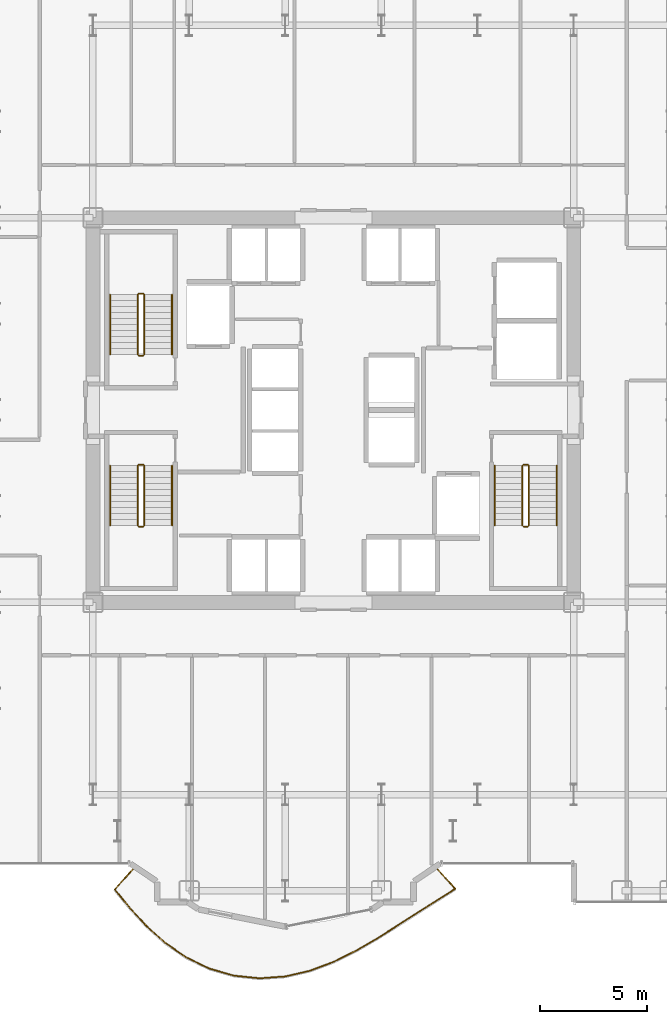
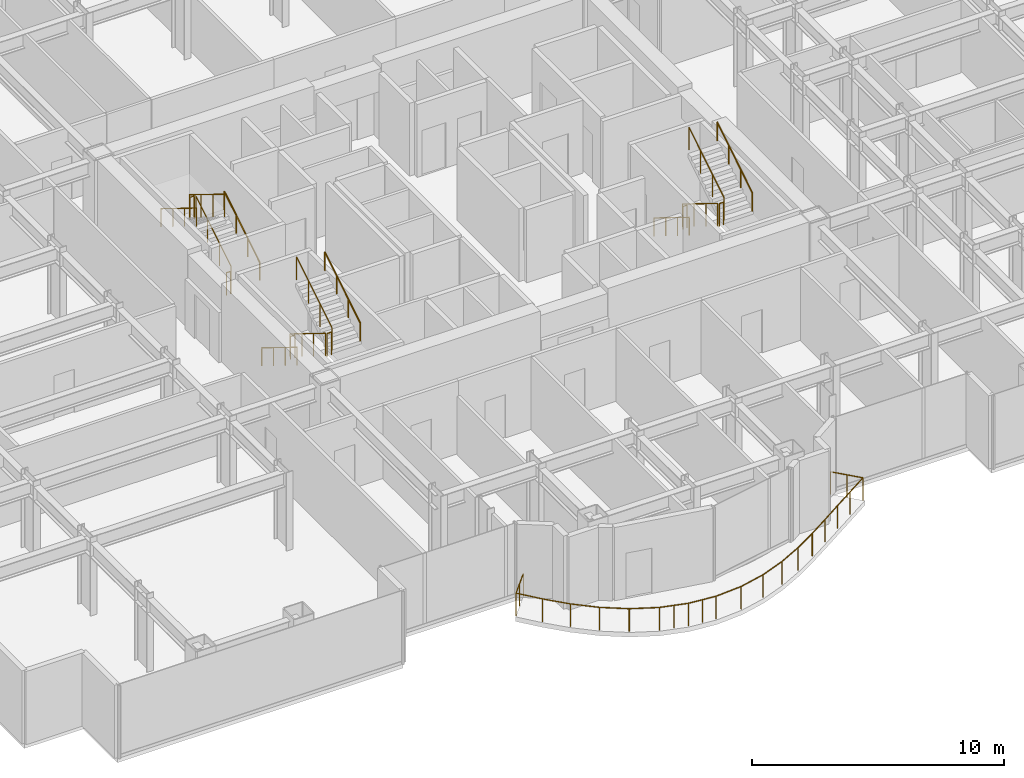
# One storey, part 28 of 29: 19 railings.
"""IFC4 building model written with IfcOpenShell, lengths in metres."""

from ifc_helpers import new_model, si_unit, direction, frame, origin, origin_2d, place, context, subcontext, project, spatial, circle, extrude, material, type_object, element, save


model = new_model("IFC4")

# Units and contexts
model_context = context("Model", 3, precision=1e-05, world=origin(), true_north=direction((0.0, 1.0)))
body_context = subcontext(model_context, "Body", "Model", "MODEL_VIEW")
ifc_project = project(units=[si_unit("LENGTHUNIT", "METRE"), si_unit("AREAUNIT", "SQUARE_METRE"), si_unit("VOLUMEUNIT", "CUBIC_METRE"), si_unit("PLANEANGLEUNIT", "RADIAN"), si_unit("MASSUNIT", "GRAM", prefix="KILO")], contexts=[model_context])

# Site, building, storey
site_placement = place(None, origin())
site = spatial("IfcSite", under=ifc_project, at=site_placement, CompositionType="ELEMENT")
building_placement = place(site_placement, origin())
building = spatial("IfcBuilding", under=site, at=building_placement, Name="Nefas-Gora Pilgrimage Tower", CompositionType="ELEMENT")
storey_placement = place(building_placement, frame((0.0, 0.0, 78.60009765625)))
storey = spatial("IfcBuildingStorey", under=building, at=storey_placement, Name="L18", CompositionType="ELEMENT", Elevation=78.60009765625)

# Railings
ifc_material_1 = material(Name="Laminated safety glass and stainless steel", Category="steel")
railing_type_1 = type_object("IfcRailingType", Name="RLG-BAL-1100", PredefinedType="BALUSTRADE", material=ifc_material_1)
railing_1_placement = place(storey_placement, frame((-9.302490234375, -21.402587890625, 0.0)))
element("IfcRailing", 1, at=railing_1_placement, inside=storey, type_object=railing_type_1, Name="L18 Wave Balcony Balustrade S2", PredefinedType="BALUSTRADE", context=body_context, shape_type="SweptSolid", body=[
    extrude(circle(Radius=0.02392578125, at=origin_2d()), frame((0.0, 0.0, 1.09619140625), z_axis=(-0.669217868333, -0.743066245165, 0.0), x_axis=(0.743066245165, -0.669217868333, 0.0)), (0.0, 0.0, 1.0), 1.38525390625),
    extrude(circle(Radius=0.02392578125, at=origin_2d()), frame((-0.927001953125, -1.029296875, 1.09619140625), z_axis=(0.631629482569, -0.775270402343, 0.0), x_axis=(0.775270402343, 0.631629482569, 0.0)), (0.0, 0.0, 1.0), 1.125244140625),
    extrude(circle(Radius=0.02392578125, at=origin_2d()), frame((-0.21630859375, -1.901611328125, 1.09619140625), z_axis=(0.677893838632, -0.735159808167, 0.0), x_axis=(0.735159808167, 0.677893838632, 0.0)), (0.0, 0.0, 1.0), 1.1552734375),
    extrude(circle(Radius=0.02392578125, at=origin_2d()), frame((0.56689453125, -2.7509765625, 1.09619140625), z_axis=(0.744856770075, -0.667224394094, 0.0), x_axis=(0.667224394094, 0.744856770075, 0.0)), (0.0, 0.0, 1.0), 1.17919921875),
    extrude(circle(Radius=0.02392578125, at=origin_2d()), frame((1.4453125, -3.537841796875, 1.09619140625), z_axis=(0.823486360046, -0.567336068673, 0.0), x_axis=(0.567336068673, 0.823486360046, 0.0)), (0.0, 0.0, 1.0), 1.193359375),
    extrude(circle(Radius=0.02392578125, at=origin_2d()), frame((2.427978515625, -4.21484375, 1.09619140625), z_axis=(0.900372884274, -0.435119143757, 0.0), x_axis=(0.435119143757, 0.900372884274, 0.0)), (0.0, 0.0, 1.0), 1.198974609375),
    extrude(circle(Radius=0.02392578125, at=origin_2d()), frame((3.507568359375, -4.736572265625, 1.09619140625), z_axis=(0.96128569357, -0.275553652377, 0.0), x_axis=(0.275553652377, 0.96128569357, 0.0)), (0.0, 0.0, 1.0), 1.200439453125),
    extrude(circle(Radius=0.02392578125, at=origin_2d()), frame((4.66162109375, -5.0673828125, 1.09619140625), z_axis=(0.994878893823, -0.101074163988, 0.0), x_axis=(0.101074163988, 0.994878893823, 0.0)), (0.0, 0.0, 1.0), 1.200439453125),
    extrude(circle(Radius=0.02392578125, at=origin_2d()), frame((5.85595703125, -5.188720703125, 1.09619140625), z_axis=(0.997416168119, 0.071840013741, 0.0), x_axis=(-0.071840013741, 0.997416168119, 0.0)), (0.0, 0.0, 1.0), 1.19970703125),
    extrude(circle(Radius=0.02392578125, at=origin_2d()), frame((7.052490234375, -5.1025390625, 1.09619140625), z_axis=(0.973990202432, 0.226590126809, 0.0), x_axis=(-0.226590126809, 0.973990202432, 0.0)), (0.0, 0.0, 1.0), 1.19482421875),
    extrude(circle(Radius=0.02392578125, at=origin_2d()), frame((8.21630859375, -4.831787109375, 1.09619140625), z_axis=(0.935793373768, 0.352548949243, 0.0), x_axis=(-0.352548949243, 0.935793373768, 0.0)), (0.0, 0.0, 1.0), 1.18212890625),
    extrude(circle(Radius=0.02392578125, at=origin_2d()), frame((9.322509765625, -4.4150390625, 1.09619140625), z_axis=(0.895603061992, 0.444854083213, 0.0), x_axis=(-0.444854083213, 0.895603061992, 0.0)), (0.0, 0.0, 1.0), 1.15966796875),
    extrude(circle(Radius=0.02392578125, at=origin_2d()), frame((10.361083984375, -3.899169921875, 1.09619140625), z_axis=(0.863943403334, 0.503588915522, 0.0), x_axis=(-0.503588915522, 0.863943403334, 0.0)), (0.0, 0.0, 1.0), 1.130126953125),
    extrude(circle(Radius=0.02392578125, at=origin_2d()), frame((11.33740234375, -3.330078125, 1.09619140625), z_axis=(0.846310667587, 0.532689641282, 0.0), x_axis=(-0.532689641282, 0.846310667587, 0.0)), (0.0, 0.0, 1.0), 1.099853515625),
    extrude(circle(Radius=0.02392578125, at=origin_2d()), frame((12.268310546875, -2.744140625, 1.09619140625), z_axis=(0.841971362418, 0.539522219067, 0.0), x_axis=(-0.539522219067, 0.841971362418, 0.0)), (0.0, 0.0, 1.0), 1.079345703125),
    extrude(circle(Radius=0.02392578125, at=origin_2d()), frame((13.177001953125, -2.161865234375, 1.09619140625), z_axis=(0.844473528243, 0.535597292839, 0.0), x_axis=(-0.535597292839, 0.844473528243, 0.0)), (0.0, 0.0, 1.0), 1.07568359375),
    extrude(circle(Radius=0.02392578125, at=origin_2d()), frame((14.08544921875, -1.585693359375, 1.09619140625), z_axis=(0.843707572313, 0.536803066704, 0.0), x_axis=(-0.536803066704, 0.843707572313, 0.0)), (0.0, 0.0, 1.0), 1.090576171875),
    extrude(circle(Radius=0.02392578125, at=origin_2d()), frame((15.005615234375, -1.000244140625, 1.09619140625), z_axis=(-0.669135077133, 0.74314079995, 0.0), x_axis=(-0.74314079995, -0.669135077133, 0.0)), (0.0, 0.0, 1.0), 1.345947265625),
    extrude(circle(Radius=0.02099609375, at=origin_2d()), origin(), (0.0, 0.0, 1.0), 1.072021484375),
    extrude(circle(Radius=0.02099609375, at=origin_2d()), frame((-0.46337890625, -0.5146484375, 0.0)), (0.0, 0.0, 1.0), 1.072021484375),
    extrude(circle(Radius=0.02099609375, at=origin_2d()), frame((-0.927001953125, -1.029296875, 0.0)), (0.0, 0.0, 1.0), 1.072021484375),
    extrude(circle(Radius=0.02099609375, at=origin_2d()), frame((-0.21630859375, -1.901611328125, 0.0)), (0.0, 0.0, 1.0), 1.072021484375),
    extrude(circle(Radius=0.02099609375, at=origin_2d()), frame((0.56689453125, -2.7509765625, 0.0)), (0.0, 0.0, 1.0), 1.072021484375),
    extrude(circle(Radius=0.02099609375, at=origin_2d()), frame((1.4453125, -3.537841796875, 0.0)), (0.0, 0.0, 1.0), 1.072021484375),
    extrude(circle(Radius=0.02099609375, at=origin_2d()), frame((2.427978515625, -4.21484375, 0.0)), (0.0, 0.0, 1.0), 1.072021484375),
    extrude(circle(Radius=0.02099609375, at=origin_2d()), frame((3.507568359375, -4.736572265625, 0.0)), (0.0, 0.0, 1.0), 1.072021484375),
    extrude(circle(Radius=0.02099609375, at=origin_2d()), frame((4.08447265625, -4.90185546875, 0.0)), (0.0, 0.0, 1.0), 1.072021484375),
    extrude(circle(Radius=0.02099609375, at=origin_2d()), frame((4.66162109375, -5.0673828125, 0.0)), (0.0, 0.0, 1.0), 1.072021484375),
    extrude(circle(Radius=0.02099609375, at=origin_2d()), frame((5.2587890625, -5.1279296875, 0.0)), (0.0, 0.0, 1.0), 1.072021484375),
    extrude(circle(Radius=0.02099609375, at=origin_2d()), frame((5.85595703125, -5.188720703125, 0.0)), (0.0, 0.0, 1.0), 1.072021484375),
    extrude(circle(Radius=0.02099609375, at=origin_2d()), frame((7.052490234375, -5.1025390625, 0.0)), (0.0, 0.0, 1.0), 1.072021484375),
    extrude(circle(Radius=0.02099609375, at=origin_2d()), frame((8.21630859375, -4.831787109375, 0.0)), (0.0, 0.0, 1.0), 1.072021484375),
    extrude(circle(Radius=0.02099609375, at=origin_2d()), frame((9.322509765625, -4.4150390625, 0.0)), (0.0, 0.0, 1.0), 1.072021484375),
    extrude(circle(Radius=0.02099609375, at=origin_2d()), frame((10.361083984375, -3.899169921875, 0.0)), (0.0, 0.0, 1.0), 1.072021484375),
    extrude(circle(Radius=0.02099609375, at=origin_2d()), frame((11.33740234375, -3.330078125, 0.0)), (0.0, 0.0, 1.0), 1.072021484375),
    extrude(circle(Radius=0.02099609375, at=origin_2d()), frame((12.268310546875, -2.744140625, 0.0)), (0.0, 0.0, 1.0), 1.072021484375),
    extrude(circle(Radius=0.02099609375, at=origin_2d()), frame((13.177001953125, -2.161865234375, 0.0)), (0.0, 0.0, 1.0), 1.072021484375),
    extrude(circle(Radius=0.02099609375, at=origin_2d()), frame((14.08544921875, -1.585693359375, 0.0)), (0.0, 0.0, 1.0), 1.072021484375),
    extrude(circle(Radius=0.02099609375, at=origin_2d()), frame((15.005615234375, -1.000244140625, 0.0)), (0.0, 0.0, 1.0), 1.072021484375),
    extrude(circle(Radius=0.02099609375, at=origin_2d()), frame((14.55517578125, -0.5, 0.0)), (0.0, 0.0, 1.0), 1.072021484375),
    extrude(circle(Radius=0.02099609375, at=origin_2d()), frame((14.10498046875, 0.0, 0.0)), (0.0, 0.0, 1.0), 1.072021484375),
])
ifc_material_2 = material(Name="Painted galvanised steel", Category="steel")
railing_type_2 = type_object("IfcRailingType", Name="RLG-STR-GUARD-1100", PredefinedType="GUARDRAIL", material=ifc_material_2)
railing_2_placement = place(storey_placement, frame((-8.85009765625, 2.60009765625, 0.172607421875)))
element("IfcRailing", 2, at=railing_2_placement, inside=storey, type_object=railing_type_2, Name="L18 ST-01 stair guard 1", PredefinedType="GUARDRAIL", context=body_context, shape_type="SweptSolid", body=[
    extrude(circle(Radius=0.02392578125, at=origin_2d()), frame((0.0, 0.0, 1.09619140625), z_axis=(0.0, 0.851069175582, 0.525053576669), x_axis=(-1.0, 0.0, 0.0)), (0.0, 0.0, 1.0), 3.289794921875),
    extrude(circle(Radius=0.02099609375, at=origin_2d()), origin(), (0.0, 0.0, 1.0), 1.072021484375),
    extrude(circle(Radius=0.02099609375, at=origin_2d()), frame((0.0, 0.933349609375, 0.57568359375)), (0.0, 0.0, 1.0), 1.072021484375),
    extrude(circle(Radius=0.02099609375, at=origin_2d()), frame((0.0, 1.866455078125, 1.151611328125)), (0.0, 0.0, 1.0), 1.072021484375),
    extrude(circle(Radius=0.02099609375, at=origin_2d()), frame((0.0, 2.7998046875, 1.727294921875)), (0.0, 0.0, 1.0), 1.072021484375),
])
railing_3_placement = place(storey_placement, frame((-8.89990234375, 5.449951171875, 1.89990234375)))
element("IfcRailing", 3, at=railing_3_placement, inside=storey, type_object=railing_type_2, Name="L18 ST-01 stair guard 2", PredefinedType="GUARDRAIL", context=body_context, shape_type="SweptSolid", body=[
    extrude(circle(Radius=0.02392578125, at=origin_2d()), frame((0.0, 0.0, 1.09619140625), z_axis=(-1.0, 0.0, 0.0), x_axis=(0.0, -1.0, 0.0)), (0.0, 0.0, 1.0), 0.2001953125),
    extrude(circle(Radius=0.02099609375, at=origin_2d()), origin(), (0.0, 0.0, 1.0), 1.072021484375),
    extrude(circle(Radius=0.02099609375, at=origin_2d()), frame((-0.2001953125, 0.0, 0.0)), (0.0, 0.0, 1.0), 1.072021484375),
])
railing_4_placement = place(storey_placement, frame((-9.14990234375, 5.39990234375, 2.072509765625)))
element("IfcRailing", 4, at=railing_4_placement, inside=storey, type_object=railing_type_2, Name="L18 ST-01 stair guard 3", PredefinedType="GUARDRAIL", context=body_context, shape_type="SweptSolid", body=[
    extrude(circle(Radius=0.02392578125, at=origin_2d()), frame((0.0, 0.0, 1.09619140625), z_axis=(0.0, -0.851069175582, 0.525053576669), x_axis=(1.0, 0.0, 0.0)), (0.0, 0.0, 1.0), 3.289794921875),
    extrude(circle(Radius=0.02099609375, at=origin_2d()), origin(), (0.0, 0.0, 1.0), 1.072021484375),
    extrude(circle(Radius=0.02099609375, at=origin_2d()), frame((0.0, -0.933349609375, 0.57568359375)), (0.0, 0.0, 1.0), 1.072021484375),
    extrude(circle(Radius=0.02099609375, at=origin_2d()), frame((0.0, -1.866455078125, 1.151611328125)), (0.0, 0.0, 1.0), 1.072021484375),
    extrude(circle(Radius=0.02099609375, at=origin_2d()), frame((0.0, -2.7998046875, 1.727294921875)), (0.0, 0.0, 1.0), 1.072021484375),
])
railing_5_placement = place(storey_placement, frame((-8.89990234375, 2.550048828125, 0.0)))
element("IfcRailing", 5, at=railing_5_placement, inside=storey, type_object=railing_type_2, Name="L18 ST-01 stair guard 4", PredefinedType="GUARDRAIL", context=body_context, shape_type="SweptSolid", body=[
    extrude(circle(Radius=0.02392578125, at=origin_2d()), frame((0.0, 0.0, 1.09619140625), z_axis=(-1.0, 0.0, 0.0), x_axis=(0.0, -1.0, 0.0)), (0.0, 0.0, 1.0), 0.2001953125),
    extrude(circle(Radius=0.02099609375, at=origin_2d()), origin(), (0.0, 0.0, 1.0), 1.072021484375),
    extrude(circle(Radius=0.02099609375, at=origin_2d()), frame((-0.2001953125, 0.0, 0.0)), (0.0, 0.0, 1.0), 1.072021484375),
])
railing_6_placement = place(storey_placement, frame((8.85009765625, -2.60009765625, 0.172607421875)))
element("IfcRailing", 6, at=railing_6_placement, inside=storey, type_object=railing_type_2, Name="L18 ST-02 stair guard 1", PredefinedType="GUARDRAIL", context=body_context, shape_type="SweptSolid", body=[
    extrude(circle(Radius=0.02392578125, at=origin_2d()), frame((0.0, 0.0, 1.09619140625), z_axis=(0.0, -0.851069175582, 0.525053576669), x_axis=(1.0, 0.0, 0.0)), (0.0, 0.0, 1.0), 3.289794921875),
    extrude(circle(Radius=0.02099609375, at=origin_2d()), origin(), (0.0, 0.0, 1.0), 1.072021484375),
    extrude(circle(Radius=0.02099609375, at=origin_2d()), frame((0.0, -0.933349609375, 0.57568359375)), (0.0, 0.0, 1.0), 1.072021484375),
    extrude(circle(Radius=0.02099609375, at=origin_2d()), frame((0.0, -1.866455078125, 1.151611328125)), (0.0, 0.0, 1.0), 1.072021484375),
    extrude(circle(Radius=0.02099609375, at=origin_2d()), frame((0.0, -2.7998046875, 1.727294921875)), (0.0, 0.0, 1.0), 1.072021484375),
])
railing_7_placement = place(storey_placement, frame((8.89990234375, -5.449951171875, 1.89990234375)))
element("IfcRailing", 7, at=railing_7_placement, inside=storey, type_object=railing_type_2, Name="L18 ST-02 stair guard 2", PredefinedType="GUARDRAIL", context=body_context, shape_type="SweptSolid", body=[
    extrude(circle(Radius=0.02392578125, at=origin_2d()), frame((0.0, 0.0, 1.09619140625), z_axis=(1.0, 0.0, 0.0), x_axis=(0.0, 1.0, 0.0)), (0.0, 0.0, 1.0), 0.2001953125),
    extrude(circle(Radius=0.02099609375, at=origin_2d()), origin(), (0.0, 0.0, 1.0), 1.072021484375),
    extrude(circle(Radius=0.02099609375, at=origin_2d()), frame((0.2001953125, 0.0, 0.0)), (0.0, 0.0, 1.0), 1.072021484375),
])
railing_8_placement = place(storey_placement, frame((9.14990234375, -5.39990234375, 2.072509765625)))
element("IfcRailing", 8, at=railing_8_placement, inside=storey, type_object=railing_type_2, Name="L18 ST-02 stair guard 3", PredefinedType="GUARDRAIL", context=body_context, shape_type="SweptSolid", body=[
    extrude(circle(Radius=0.02392578125, at=origin_2d()), frame((0.0, 0.0, 1.09619140625), z_axis=(0.0, 0.851069175582, 0.525053576669), x_axis=(-1.0, 0.0, 0.0)), (0.0, 0.0, 1.0), 3.289794921875),
    extrude(circle(Radius=0.02099609375, at=origin_2d()), origin(), (0.0, 0.0, 1.0), 1.072021484375),
    extrude(circle(Radius=0.02099609375, at=origin_2d()), frame((0.0, 0.933349609375, 0.57568359375)), (0.0, 0.0, 1.0), 1.072021484375),
    extrude(circle(Radius=0.02099609375, at=origin_2d()), frame((0.0, 1.866455078125, 1.151611328125)), (0.0, 0.0, 1.0), 1.072021484375),
    extrude(circle(Radius=0.02099609375, at=origin_2d()), frame((0.0, 2.7998046875, 1.727294921875)), (0.0, 0.0, 1.0), 1.072021484375),
])
railing_9_placement = place(storey_placement, frame((8.89990234375, -2.550048828125, 0.0)))
element("IfcRailing", 9, at=railing_9_placement, inside=storey, type_object=railing_type_2, Name="L18 ST-02 stair guard 4", PredefinedType="GUARDRAIL", context=body_context, shape_type="SweptSolid", body=[
    extrude(circle(Radius=0.02392578125, at=origin_2d()), frame((0.0, 0.0, 1.09619140625), z_axis=(1.0, 0.0, 0.0), x_axis=(0.0, 1.0, 0.0)), (0.0, 0.0, 1.0), 0.2001953125),
    extrude(circle(Radius=0.02099609375, at=origin_2d()), origin(), (0.0, 0.0, 1.0), 1.072021484375),
    extrude(circle(Radius=0.02099609375, at=origin_2d()), frame((0.2001953125, 0.0, 0.0)), (0.0, 0.0, 1.0), 1.072021484375),
])
railing_10_placement = place(storey_placement, frame((-9.14990234375, -2.60009765625, 0.172607421875)))
element("IfcRailing", 10, at=railing_10_placement, inside=storey, type_object=railing_type_2, Name="L18 ST-03 stair guard 1", PredefinedType="GUARDRAIL", context=body_context, shape_type="SweptSolid", body=[
    extrude(circle(Radius=0.02392578125, at=origin_2d()), frame((0.0, 0.0, 1.09619140625), z_axis=(0.0, -0.851069175582, 0.525053576669), x_axis=(1.0, 0.0, 0.0)), (0.0, 0.0, 1.0), 3.289794921875),
    extrude(circle(Radius=0.02099609375, at=origin_2d()), origin(), (0.0, 0.0, 1.0), 1.072021484375),
    extrude(circle(Radius=0.02099609375, at=origin_2d()), frame((0.0, -0.933349609375, 0.57568359375)), (0.0, 0.0, 1.0), 1.072021484375),
    extrude(circle(Radius=0.02099609375, at=origin_2d()), frame((0.0, -1.866455078125, 1.151611328125)), (0.0, 0.0, 1.0), 1.072021484375),
    extrude(circle(Radius=0.02099609375, at=origin_2d()), frame((0.0, -2.7998046875, 1.727294921875)), (0.0, 0.0, 1.0), 1.072021484375),
])
railing_11_placement = place(storey_placement, frame((-9.10009765625, -5.449951171875, 1.89990234375)))
element("IfcRailing", 11, at=railing_11_placement, inside=storey, type_object=railing_type_2, Name="L18 ST-03 stair guard 2", PredefinedType="GUARDRAIL", context=body_context, shape_type="SweptSolid", body=[
    extrude(circle(Radius=0.02392578125, at=origin_2d()), frame((0.0, 0.0, 1.09619140625), z_axis=(1.0, 0.0, 0.0), x_axis=(0.0, 1.0, 0.0)), (0.0, 0.0, 1.0), 0.2001953125),
    extrude(circle(Radius=0.02099609375, at=origin_2d()), origin(), (0.0, 0.0, 1.0), 1.072021484375),
    extrude(circle(Radius=0.02099609375, at=origin_2d()), frame((0.2001953125, 0.0, 0.0)), (0.0, 0.0, 1.0), 1.072021484375),
])
railing_12_placement = place(storey_placement, frame((-8.85009765625, -5.39990234375, 2.072509765625)))
element("IfcRailing", 12, at=railing_12_placement, inside=storey, type_object=railing_type_2, Name="L18 ST-03 stair guard 3", PredefinedType="GUARDRAIL", context=body_context, shape_type="SweptSolid", body=[
    extrude(circle(Radius=0.02392578125, at=origin_2d()), frame((0.0, 0.0, 1.09619140625), z_axis=(0.0, 0.851069175582, 0.525053576669), x_axis=(-1.0, 0.0, 0.0)), (0.0, 0.0, 1.0), 3.289794921875),
    extrude(circle(Radius=0.02099609375, at=origin_2d()), origin(), (0.0, 0.0, 1.0), 1.072021484375),
    extrude(circle(Radius=0.02099609375, at=origin_2d()), frame((0.0, 0.933349609375, 0.57568359375)), (0.0, 0.0, 1.0), 1.072021484375),
    extrude(circle(Radius=0.02099609375, at=origin_2d()), frame((0.0, 1.866455078125, 1.151611328125)), (0.0, 0.0, 1.0), 1.072021484375),
    extrude(circle(Radius=0.02099609375, at=origin_2d()), frame((0.0, 2.7998046875, 1.727294921875)), (0.0, 0.0, 1.0), 1.072021484375),
])
railing_13_placement = place(storey_placement, frame((-9.10009765625, -2.550048828125, 0.0)))
element("IfcRailing", 13, at=railing_13_placement, inside=storey, type_object=railing_type_2, Name="L18 ST-03 stair guard 4", PredefinedType="GUARDRAIL", context=body_context, shape_type="SweptSolid", body=[
    extrude(circle(Radius=0.02392578125, at=origin_2d()), frame((0.0, 0.0, 1.09619140625), z_axis=(1.0, 0.0, 0.0), x_axis=(0.0, 1.0, 0.0)), (0.0, 0.0, 1.0), 0.2001953125),
    extrude(circle(Radius=0.02099609375, at=origin_2d()), origin(), (0.0, 0.0, 1.0), 1.072021484375),
    extrude(circle(Radius=0.02099609375, at=origin_2d()), frame((0.2001953125, 0.0, 0.0)), (0.0, 0.0, 1.0), 1.072021484375),
])
ifc_material_3 = material(Name="Brushed stainless steel", Category="steel")
railing_type_3 = type_object("IfcRailingType", Name="RLG-STR-HAND-900", PredefinedType="HANDRAIL", material=ifc_material_3)
railing_14_placement = place(storey_placement, frame((-7.550048828125, 2.60009765625, 0.172607421875)))
element("IfcRailing", 14, at=railing_14_placement, inside=storey, type_object=railing_type_3, Name="L18 ST-01 stair handrail 1", PredefinedType="HANDRAIL", context=body_context, shape_type="SweptSolid", body=[
    extrude(circle(Radius=0.02392578125, at=origin_2d()), frame((0.0, 0.0, 0.8759765625), z_axis=(0.0, 0.851069175582, 0.525053576669), x_axis=(-1.0, 0.0, 0.0)), (0.0, 0.0, 1.0), 3.289794921875),
    extrude(circle(Radius=0.02099609375, at=origin_2d()), origin(), (0.0, 0.0, 1.0), 0.851806640625),
    extrude(circle(Radius=0.02099609375, at=origin_2d()), frame((0.0, 0.933349609375, 0.57568359375)), (0.0, 0.0, 1.0), 0.851806640625),
    extrude(circle(Radius=0.02099609375, at=origin_2d()), frame((0.0, 1.866455078125, 1.151611328125)), (0.0, 0.0, 1.0), 0.851806640625),
    extrude(circle(Radius=0.02099609375, at=origin_2d()), frame((0.0, 2.7998046875, 1.727294921875)), (0.0, 0.0, 1.0), 0.851806640625),
])
for number, where, name in (
    (15, (-10.449951171875, 5.39990234375, 2.072509765625), "L18 ST-01 stair handrail 2"),
    (16, (7.550048828125, -2.60009765625, 0.172607421875), "L18 ST-02 stair handrail 1"),
):
    element("IfcRailing", number, at=place(storey_placement, frame(where)), inside=storey, type_object=railing_type_3, Name=name, PredefinedType="HANDRAIL", context=body_context, shape_type="SweptSolid", body=[
        extrude(circle(Radius=0.02392578125, at=origin_2d()), frame((0.0, 0.0, 0.8759765625), z_axis=(0.0, -0.851069175582, 0.525053576669), x_axis=(1.0, 0.0, 0.0)), (0.0, 0.0, 1.0), 3.289794921875),
        extrude(circle(Radius=0.02099609375, at=origin_2d()), origin(), (0.0, 0.0, 1.0), 0.851806640625),
        extrude(circle(Radius=0.02099609375, at=origin_2d()), frame((0.0, -0.933349609375, 0.57568359375)), (0.0, 0.0, 1.0), 0.851806640625),
        extrude(circle(Radius=0.02099609375, at=origin_2d()), frame((0.0, -1.866455078125, 1.151611328125)), (0.0, 0.0, 1.0), 0.851806640625),
        extrude(circle(Radius=0.02099609375, at=origin_2d()), frame((0.0, -2.7998046875, 1.727294921875)), (0.0, 0.0, 1.0), 0.851806640625),
    ])
railing_15_placement = place(storey_placement, frame((10.449951171875, -5.39990234375, 2.072509765625)))
element("IfcRailing", 17, at=railing_15_placement, inside=storey, type_object=railing_type_3, Name="L18 ST-02 stair handrail 2", PredefinedType="HANDRAIL", context=body_context, shape_type="SweptSolid", body=[
    extrude(circle(Radius=0.02392578125, at=origin_2d()), frame((0.0, 0.0, 0.8759765625), z_axis=(0.0, 0.851069175582, 0.525053576669), x_axis=(-1.0, 0.0, 0.0)), (0.0, 0.0, 1.0), 3.289794921875),
    extrude(circle(Radius=0.02099609375, at=origin_2d()), origin(), (0.0, 0.0, 1.0), 0.851806640625),
    extrude(circle(Radius=0.02099609375, at=origin_2d()), frame((0.0, 0.933349609375, 0.57568359375)), (0.0, 0.0, 1.0), 0.851806640625),
    extrude(circle(Radius=0.02099609375, at=origin_2d()), frame((0.0, 1.866455078125, 1.151611328125)), (0.0, 0.0, 1.0), 0.851806640625),
    extrude(circle(Radius=0.02099609375, at=origin_2d()), frame((0.0, 2.7998046875, 1.727294921875)), (0.0, 0.0, 1.0), 0.851806640625),
])
railing_16_placement = place(storey_placement, frame((-10.449951171875, -2.60009765625, 0.172607421875)))
element("IfcRailing", 18, at=railing_16_placement, inside=storey, type_object=railing_type_3, Name="L18 ST-03 stair handrail 1", PredefinedType="HANDRAIL", context=body_context, shape_type="SweptSolid", body=[
    extrude(circle(Radius=0.02392578125, at=origin_2d()), frame((0.0, 0.0, 0.8759765625), z_axis=(0.0, -0.851069175582, 0.525053576669), x_axis=(1.0, 0.0, 0.0)), (0.0, 0.0, 1.0), 3.289794921875),
    extrude(circle(Radius=0.02099609375, at=origin_2d()), origin(), (0.0, 0.0, 1.0), 0.851806640625),
    extrude(circle(Radius=0.02099609375, at=origin_2d()), frame((0.0, -0.933349609375, 0.57568359375)), (0.0, 0.0, 1.0), 0.851806640625),
    extrude(circle(Radius=0.02099609375, at=origin_2d()), frame((0.0, -1.866455078125, 1.151611328125)), (0.0, 0.0, 1.0), 0.851806640625),
    extrude(circle(Radius=0.02099609375, at=origin_2d()), frame((0.0, -2.7998046875, 1.727294921875)), (0.0, 0.0, 1.0), 0.851806640625),
])
railing_17_placement = place(storey_placement, frame((-7.550048828125, -5.39990234375, 2.072509765625)))
element("IfcRailing", 19, at=railing_17_placement, inside=storey, type_object=railing_type_3, Name="L18 ST-03 stair handrail 2", PredefinedType="HANDRAIL", context=body_context, shape_type="SweptSolid", body=[
    extrude(circle(Radius=0.02392578125, at=origin_2d()), frame((0.0, 0.0, 0.8759765625), z_axis=(0.0, 0.851069175582, 0.525053576669), x_axis=(-1.0, 0.0, 0.0)), (0.0, 0.0, 1.0), 3.289794921875),
    extrude(circle(Radius=0.02099609375, at=origin_2d()), origin(), (0.0, 0.0, 1.0), 0.851806640625),
    extrude(circle(Radius=0.02099609375, at=origin_2d()), frame((0.0, 0.933349609375, 0.57568359375)), (0.0, 0.0, 1.0), 0.851806640625),
    extrude(circle(Radius=0.02099609375, at=origin_2d()), frame((0.0, 1.866455078125, 1.151611328125)), (0.0, 0.0, 1.0), 0.851806640625),
    extrude(circle(Radius=0.02099609375, at=origin_2d()), frame((0.0, 2.7998046875, 1.727294921875)), (0.0, 0.0, 1.0), 0.851806640625),
])

save(model, "model.ifc")
